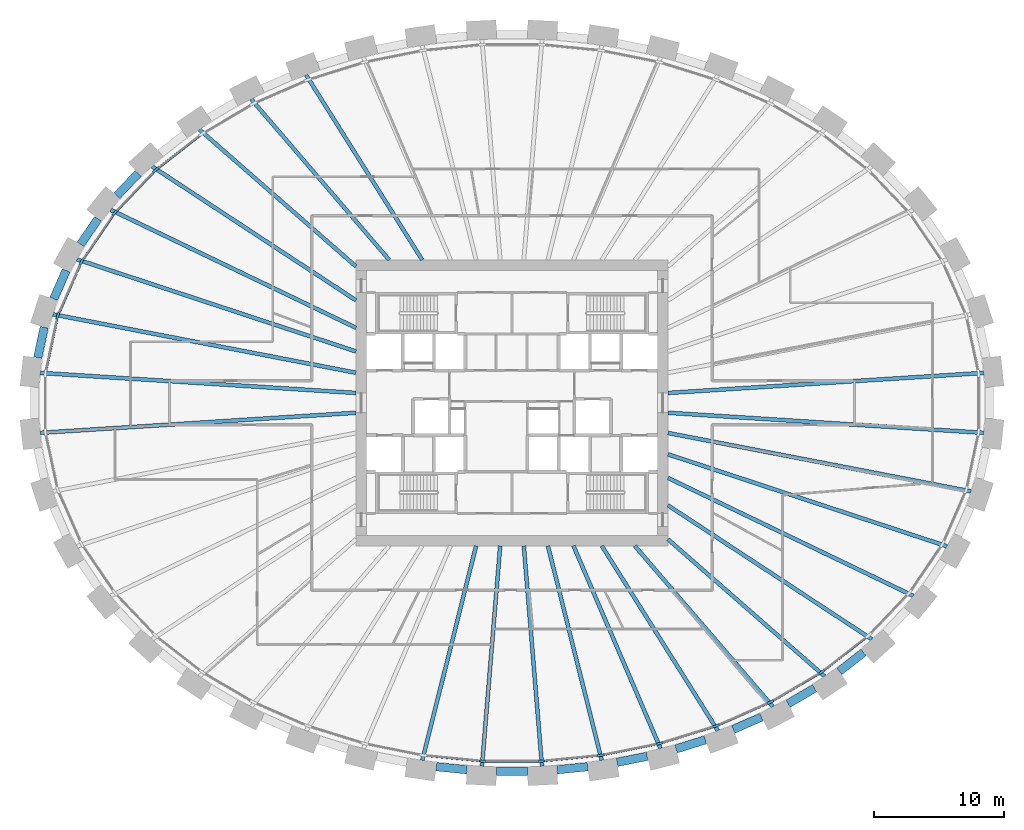
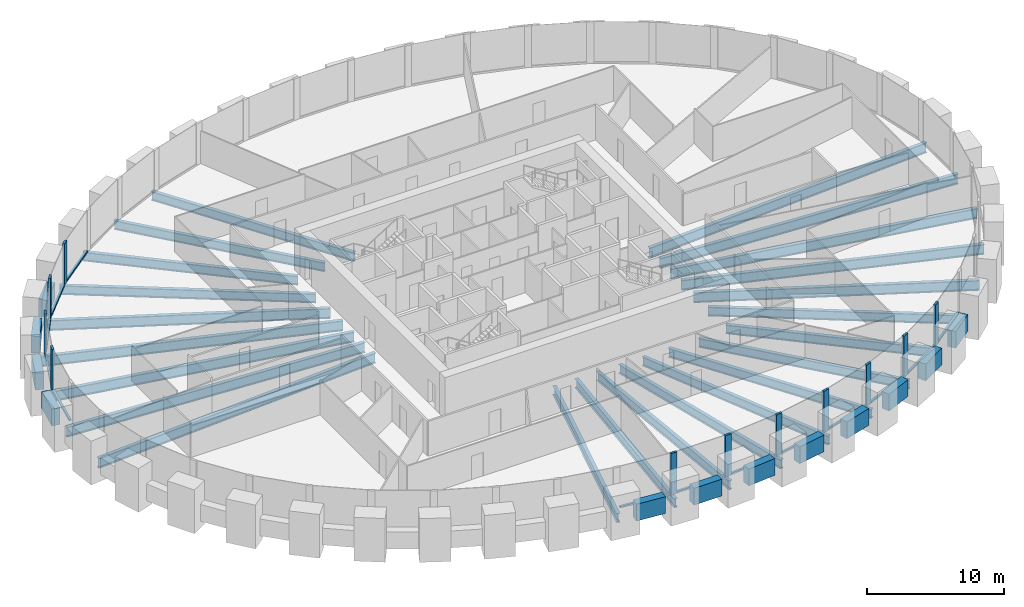
# One storey, part 2 of 10: 35 beams, 24 members, 1 element without a shape of its own.
"""IFC4 building model written with IfcOpenShell, lengths in metres."""

from ifc_helpers import new_model, si_unit, direction, frame, origin, origin_2d, place, context, subcontext, project, spatial, rectangle, i_section, extrude, source, transform, mapped, material, material_profile, profile_set, type_object, element, aggregate, save


model = new_model("IFC4")

# Units and contexts
model_context = context("Model", 3, precision=1e-05, world=origin(), true_north=direction((0.0, 1.0)))
body_context = subcontext(model_context, "Body", "Model", "MODEL_VIEW")
ifc_project = project(units=[si_unit("LENGTHUNIT", "METRE"), si_unit("AREAUNIT", "SQUARE_METRE"), si_unit("VOLUMEUNIT", "CUBIC_METRE"), si_unit("PLANEANGLEUNIT", "RADIAN"), si_unit("MASSUNIT", "GRAM", prefix="KILO")], contexts=[model_context])

# Site, building, storey
site_placement = place(None, origin())
site = spatial("IfcSite", under=ifc_project, at=site_placement, CompositionType="ELEMENT")
building_placement = place(site_placement, origin())
building = spatial("IfcBuilding", under=site, at=building_placement, Name="Embergate Tower", CompositionType="ELEMENT")
storey_placement = place(building_placement, frame((0.0, 0.0, 175.5)))
storey = spatial("IfcBuildingStorey", under=building, at=storey_placement, Name="L39", CompositionType="ELEMENT", Elevation=175.5)

# Beams
ifc_material_1 = material(Name="Concrete C70", Category="concrete")
ifc_material_profile_1 = material_profile(ifc_material_1, rectangle(XDim=0.64990234375, YDim=1.5, at=origin_2d()), Name="RC 650x1500")
ifc_profile_set_1 = profile_set([ifc_material_profile_1], Name="Concrete C70")
beam_type_1 = type_object("IfcBeamType", Name="Spandrel beam RC 650x1500 C70", PredefinedType="BEAM", material=ifc_profile_set_1)
shared_shape_1 = source(origin(), body_context, "Body", "SweptSolid", [
    extrude(rectangle(XDim=0.64990234375, YDim=1.5, at=origin_2d()), origin(), (0.0, 0.0, 1.0), 2.390625),
])
beam_1_placement = place(storey_placement, frame((-35.986083984375, 5.821044921875, 0.0), z_axis=(-0.210372893439, -0.977621217909, 0.0), x_axis=(0.977621217909, -0.210372893439, 0.0)))
element("IfcBeam", 1, at=beam_1_placement, inside=storey, type_object=beam_type_1, Name="SPN-L39-20", PredefinedType="BEAM", context=body_context, shape_type="MappedRepresentation", body=[
    mapped(shared_shape_1, transform((0.0, 0.0, 0.0))),
])
shared_shape_2 = source(origin(), body_context, "Body", "SweptSolid", [
    extrude(rectangle(XDim=0.64990234375, YDim=1.5, at=origin_2d()), origin(), (0.0, 0.0, 1.0), 2.383544921875),
])
beam_2_placement = place(storey_placement, frame((-34.302001953125, 10.18603515625, 0.0), z_axis=(-0.401495719711, -0.915860899402, 0.0), x_axis=(0.915860899402, -0.401495719711, 0.0)))
element("IfcBeam", 2, at=beam_2_placement, inside=storey, type_object=beam_type_1, Name="SPN-L39-19", PredefinedType="BEAM", context=body_context, shape_type="MappedRepresentation", body=[
    mapped(shared_shape_2, transform((0.0, 0.0, 0.0))),
])
shared_shape_3 = source(origin(), body_context, "Body", "SweptSolid", [
    extrude(rectangle(XDim=0.64990234375, YDim=1.5, at=origin_2d()), origin(), (0.0, 0.0, 1.0), 2.37744140625),
])
beam_3_placement = place(storey_placement, frame((-31.85107421875, 14.1650390625, 0.0), z_axis=(-0.562307212713, -0.826928411975, 0.0), x_axis=(0.826928411975, -0.562307212713, 0.0)))
element("IfcBeam", 3, at=beam_3_placement, inside=storey, type_object=beam_type_1, Name="SPN-L39-18", PredefinedType="BEAM", context=body_context, shape_type="MappedRepresentation", body=[
    mapped(shared_shape_3, transform((0.0, 0.0, 0.0))),
])
shared_shape_4 = source(origin(), body_context, "Body", "SweptSolid", [
    extrude(rectangle(XDim=0.64990234375, YDim=1.5, at=origin_2d()), origin(), (0.0, 0.0, 1.0), 2.370361328125),
])
beam_4_placement = place(storey_placement, frame((-28.7548828125, 17.656982421875, 0.0), z_axis=(-0.690277300847, -0.723544917704, 0.0), x_axis=(0.723544917704, -0.690277300847, 0.0)))
element("IfcBeam", 4, at=beam_4_placement, inside=storey, type_object=beam_type_1, Name="SPN-L39-17", PredefinedType="BEAM", context=body_context, shape_type="MappedRepresentation", body=[
    mapped(shared_shape_4, transform((0.0, 0.0, 0.0))),
])
shared_shape_5 = source(origin(), body_context, "Body", "SweptSolid", [
    extrude(rectangle(XDim=0.64990234375, YDim=1.5, at=origin_2d()), origin(), (0.0, 0.0, 1.0), 2.367431640625),
])
beam_5_placement = place(storey_placement, frame((25.18408203125, -20.657958984375, 0.0), z_axis=(0.788179129097, 0.615445903761, 0.0), x_axis=(-0.615445903761, 0.788179129097, 0.0)))
element("IfcBeam", 5, at=beam_5_placement, inside=storey, type_object=beam_type_1, Name="SPN-L39-38", PredefinedType="BEAM", context=body_context, shape_type="MappedRepresentation", body=[
    mapped(shared_shape_5, transform((0.0, 0.0, 0.0))),
])
shared_shape_6 = source(origin(), body_context, "Body", "SweptSolid", [
    extrude(rectangle(XDim=0.64990234375, YDim=1.5, at=origin_2d()), origin(), (0.0, 0.0, 1.0), 2.36181640625),
])
beam_6_placement = place(storey_placement, frame((21.24609375, -23.14794921875, 0.0), z_axis=(0.86203783714, 0.506843927989, 0.0), x_axis=(-0.506843927989, 0.86203783714, 0.0)))
element("IfcBeam", 6, at=beam_6_placement, inside=storey, type_object=beam_type_1, Name="SPN-L39-37", PredefinedType="BEAM", context=body_context, shape_type="MappedRepresentation", body=[
    mapped(shared_shape_6, transform((0.0, 0.0, 0.0))),
])
shared_shape_7 = source(origin(), body_context, "Body", "SweptSolid", [
    extrude(rectangle(XDim=0.64990234375, YDim=1.5, at=origin_2d()), origin(), (0.0, 0.0, 1.0), 2.357177734375),
])
beam_7_placement = place(storey_placement, frame((17.028076171875, -25.118896484375, 0.0), z_axis=(0.916330780136, 0.400422153951, 0.0), x_axis=(-0.400422153951, 0.916330780136, 0.0)))
element("IfcBeam", 7, at=beam_7_placement, inside=storey, type_object=beam_type_1, Name="SPN-L39-36", PredefinedType="BEAM", context=body_context, shape_type="MappedRepresentation", body=[
    mapped(shared_shape_7, transform((0.0, 0.0, 0.0))),
])
shared_shape_8 = source(origin(), body_context, "Body", "SweptSolid", [
    extrude(rectangle(XDim=0.64990234375, YDim=1.5, at=origin_2d()), origin(), (0.0, 0.0, 1.0), 2.354736328125),
])
beam_8_placement = place(storey_placement, frame((12.625, -26.6240234375, 0.0), z_axis=(0.954671641149, 0.2976609776, 0.0), x_axis=(-0.2976609776, 0.954671641149, 0.0)))
element("IfcBeam", 8, at=beam_8_placement, inside=storey, type_object=beam_type_1, Name="SPN-L39-35", PredefinedType="BEAM", context=body_context, shape_type="MappedRepresentation", body=[
    mapped(shared_shape_8, transform((0.0, 0.0, 0.0))),
])
shared_shape_9 = source(origin(), body_context, "Body", "SweptSolid", [
    extrude(rectangle(XDim=0.64990234375, YDim=1.5, at=origin_2d()), origin(), (0.0, 0.0, 1.0), 2.35302734375),
])
beam_9_placement = place(storey_placement, frame((8.089111328125, -27.655029296875, 0.0), z_axis=(0.980436743633, 0.196834427206, 0.0), x_axis=(-0.196834427206, 0.980436743633, 0.0)))
element("IfcBeam", 9, at=beam_9_placement, inside=storey, type_object=beam_type_1, Name="SPN-L39-34", PredefinedType="BEAM", context=body_context, shape_type="MappedRepresentation", body=[
    mapped(shared_shape_9, transform((0.0, 0.0, 0.0))),
])
shared_shape_10 = source(origin(), body_context, "Body", "SweptSolid", [
    extrude(rectangle(XDim=0.64990234375, YDim=1.5, at=origin_2d()), origin(), (0.0, 0.0, 1.0), 2.352294921875),
])
for number, where, z_axis, x_axis, name in (
    (10, (-5.81396484375, -27.993896484375, 0.0), (0.995199233924, -0.097869733819, 0.0), (0.097869733819, 0.995199233924, 0.0), "SPN-L39-31"),
    (11, (3.472900390625, -28.22412109375, 0.0), (0.995199233924, 0.097869733819, 0.0), (-0.097869733819, 0.995199233924, 0.0), "SPN-L39-33"),
):
    element("IfcBeam", number, at=place(storey_placement, frame(where, z_axis=z_axis, x_axis=x_axis)), inside=storey, type_object=beam_type_1, Name=name, PredefinedType="BEAM", context=body_context, shape_type="MappedRepresentation", body=[
        mapped(shared_shape_10, transform((0.0, 0.0, 0.0))),
    ])
shared_shape_11 = source(origin(), body_context, "Body", "SweptSolid", [
    extrude(rectangle(XDim=0.64990234375, YDim=1.5, at=origin_2d()), origin(), (0.0, 0.0, 1.0), 2.35205078125),
])
beam_10_placement = place(storey_placement, frame((-1.176025390625, -28.3369140625, 0.0), z_axis=(1.0, 0.0, 0.0), x_axis=(0.0, 1.0, 0.0)))
element("IfcBeam", 12, at=beam_10_placement, inside=storey, type_object=beam_type_1, Name="SPN-L39-32", PredefinedType="BEAM", context=body_context, shape_type="MappedRepresentation", body=[
    mapped(shared_shape_11, transform((0.0, 0.0, 0.0))),
])
ifc_material_2 = material(Name="Steel Q355B", Category="steel")
ifc_material_profile_2 = material_profile(ifc_material_2, i_section(OverallWidth=0.300048828125, OverallDepth=0.89990234375, WebThickness=0.01611328125, FlangeThickness=0.028076171875, FilletRadius=0.028076171875, at=origin_2d()), Name="HN 900x300x16x28")
ifc_profile_set_2 = profile_set([ifc_material_profile_2], Name="Steel Q355 grade B")
beam_type_2 = type_object("IfcBeamType", Name="Radial girder HN 900x300x16x28", PredefinedType="BEAM", material=ifc_profile_set_2)
shared_shape_12 = source(origin(), body_context, "Body", "SweptSolid", [
    extrude(i_section(OverallWidth=0.300048828125, OverallDepth=0.89990234375, WebThickness=0.01611328125, FlangeThickness=0.028076171875, FilletRadius=0.028076171875, at=origin_2d()), origin(), (0.0, 0.0, 1.0), 24.336181640625),
])
for number, where, z_axis, x_axis, name in (
    (13, (36.287109375, 2.305908203125, -0.64990234375), (-0.997985495245, -0.063442503739, 0.0), (0.063442503739, -0.997985495245, 0.0), "GIR-L39-00"),
    (14, (-36.287109375, 2.305908203125, -0.64990234375), (0.997985495245, -0.063442503739, 0.0), (0.063442503739, 0.997985495245, 0.0), "GIR-L39-21"),
    (15, (-36.287109375, -2.305908203125, -0.64990234375), (0.997985495245, 0.063442503739, 0.0), (-0.063442503739, 0.997985495245, 0.0), "GIR-L39-22"),
    (16, (36.287109375, -2.305908203125, -0.64990234375), (-0.997985495245, 0.063442503739, 0.0), (-0.063442503739, -0.997985495245, 0.0), "GIR-L39-43"),
):
    element("IfcBeam", number, at=place(storey_placement, frame(where, z_axis=z_axis, x_axis=x_axis)), inside=storey, type_object=beam_type_2, Name=name, PredefinedType="BEAM", context=body_context, shape_type="MappedRepresentation", body=[
        mapped(shared_shape_12, transform((0.0, 0.0, 0.0))),
    ])
shared_shape_13 = source(origin(), body_context, "Body", "SweptSolid", [
    extrude(i_section(OverallWidth=0.300048828125, OverallDepth=0.89990234375, WebThickness=0.01611328125, FlangeThickness=0.028076171875, FilletRadius=0.028076171875, at=origin_2d()), origin(), (0.0, 0.0, 1.0), 23.747802734375),
])
for number, where, z_axis, x_axis, name in (
    (17, (-35.318115234375, 6.81201171875, -0.64990234375), (0.981906216614, -0.189367847787, 0.0), (0.189367847787, 0.981906216614, 0.0), "GIR-L39-20"),
    (18, (35.318115234375, -6.81201171875, -0.64990234375), (-0.981906216614, 0.189367847787, 0.0), (-0.189367847787, -0.981906216614, 0.0), "GIR-L39-42"),
):
    element("IfcBeam", number, at=place(storey_placement, frame(where, z_axis=z_axis, x_axis=x_axis)), inside=storey, type_object=beam_type_2, Name=name, PredefinedType="BEAM", context=body_context, shape_type="MappedRepresentation", body=[
        mapped(shared_shape_13, transform((0.0, 0.0, 0.0))),
    ])
shared_shape_14 = source(origin(), body_context, "Body", "SweptSolid", [
    extrude(i_section(OverallWidth=0.300048828125, OverallDepth=0.89990234375, WebThickness=0.01611328125, FlangeThickness=0.028076171875, FilletRadius=0.028076171875, at=origin_2d()), origin(), (0.0, 0.0, 1.0), 22.602294921875),
])
for number, where, z_axis, x_axis, name in (
    (19, (-33.465087890625, 11.035888671875, -0.64990234375), (0.949689481284, -0.313193054103, 0.0), (0.313193054103, 0.949689481284, 0.0), "GIR-L39-19"),
    (20, (33.465087890625, -11.035888671875, -0.64990234375), (-0.949689481284, 0.313193054103, 0.0), (-0.313193054103, -0.949689481284, 0.0), "GIR-L39-41"),
):
    element("IfcBeam", number, at=place(storey_placement, frame(where, z_axis=z_axis, x_axis=x_axis)), inside=storey, type_object=beam_type_2, Name=name, PredefinedType="BEAM", context=body_context, shape_type="MappedRepresentation", body=[
        mapped(shared_shape_14, transform((0.0, 0.0, 0.0))),
    ])
shared_shape_15 = source(origin(), body_context, "Body", "SweptSolid", [
    extrude(i_section(OverallWidth=0.300048828125, OverallDepth=0.89990234375, WebThickness=0.01611328125, FlangeThickness=0.028076171875, FilletRadius=0.028076171875, at=origin_2d()), origin(), (0.0, 0.0, 1.0), 20.941162109375),
])
for number, where, z_axis, x_axis, name in (
    (21, (-30.87109375, 14.85107421875, -0.64990234375), (0.901150138625, -0.433507125267, 0.0), (0.433507125267, 0.901150138625, 0.0), "GIR-L39-18"),
    (22, (30.87109375, -14.85107421875, -0.64990234375), (-0.901150138625, 0.433507125267, 0.0), (-0.433507125267, -0.901150138625, 0.0), "GIR-L39-40"),
):
    element("IfcBeam", number, at=place(storey_placement, frame(where, z_axis=z_axis, x_axis=x_axis)), inside=storey, type_object=beam_type_2, Name=name, PredefinedType="BEAM", context=body_context, shape_type="MappedRepresentation", body=[
        mapped(shared_shape_15, transform((0.0, 0.0, 0.0))),
    ])
ifc_material_profile_3 = material_profile(ifc_material_2, i_section(OverallWidth=0.300048828125, OverallDepth=0.800048828125, WebThickness=0.013916015625, FlangeThickness=0.02587890625, FilletRadius=0.028076171875, at=origin_2d()), Name="HN 800x300x14x26")
ifc_profile_set_3 = profile_set([ifc_material_profile_3], Name="Steel Q355 grade B")
beam_type_3 = type_object("IfcBeamType", Name="Radial girder HN 800x300x14x26", PredefinedType="BEAM", material=ifc_profile_set_3)
shared_shape_16 = source(origin(), body_context, "Body", "SweptSolid", [
    extrude(i_section(OverallWidth=0.300048828125, OverallDepth=0.800048828125, WebThickness=0.013916015625, FlangeThickness=0.02587890625, FilletRadius=0.028076171875, at=origin_2d()), origin(), (0.0, 0.0, 1.0), 18.76953125),
])
for number, where, z_axis, x_axis, name in (
    (23, (-27.68701171875, 18.18994140625, -0.60009765625), (0.835771481667, -0.549077435734, 0.0), (0.549077435734, 0.835771481667, 0.0), "GIR-L39-17"),
    (24, (27.68701171875, -18.18994140625, -0.60009765625), (-0.835771481667, 0.549077435734, 0.0), (-0.549077435734, -0.835771481667, 0.0), "GIR-L39-39"),
):
    element("IfcBeam", number, at=place(storey_placement, frame(where, z_axis=z_axis, x_axis=x_axis)), inside=storey, type_object=beam_type_3, Name=name, PredefinedType="BEAM", context=body_context, shape_type="MappedRepresentation", body=[
        mapped(shared_shape_16, transform((0.0, 0.0, 0.0))),
    ])
shared_shape_17 = source(origin(), body_context, "Body", "SweptSolid", [
    extrude(i_section(OverallWidth=0.300048828125, OverallDepth=0.800048828125, WebThickness=0.013916015625, FlangeThickness=0.02587890625, FilletRadius=0.028076171875, at=origin_2d()), origin(), (0.0, 0.0, 1.0), 16.005859375),
])
for number, where, z_axis, x_axis, name in (
    (25, (-24.048095703125, 21.031005859375, -0.60009765625), (0.752730691054, -0.658328570506, 0.0), (0.658328570506, 0.752730691054, 0.0), "GIR-L39-16"),
    (26, (24.048095703125, -21.031005859375, -0.60009765625), (-0.752730691054, 0.658328570506, 0.0), (-0.658328570506, -0.752730691054, 0.0), "GIR-L39-38"),
):
    element("IfcBeam", number, at=place(storey_placement, frame(where, z_axis=z_axis, x_axis=x_axis)), inside=storey, type_object=beam_type_3, Name=name, PredefinedType="BEAM", context=body_context, shape_type="MappedRepresentation", body=[
        mapped(shared_shape_17, transform((0.0, 0.0, 0.0))),
    ])
shared_shape_18 = source(origin(), body_context, "Body", "SweptSolid", [
    extrude(i_section(OverallWidth=0.300048828125, OverallDepth=0.800048828125, WebThickness=0.013916015625, FlangeThickness=0.02587890625, FilletRadius=0.028076171875, at=origin_2d()), origin(), (0.0, 0.0, 1.0), 16.305419921875),
])
for number, where, z_axis, x_axis, name in (
    (27, (-20.069091796875, 23.3701171875, -0.60009765625), (0.651501333184, -0.758647489193, 0.0), (0.758647489193, 0.651501333184, 0.0), "GIR-L39-15"),
    (28, (20.069091796875, -23.3701171875, -0.60009765625), (-0.651501333184, 0.758647489193, 0.0), (-0.758647489193, -0.651501333184, 0.0), "GIR-L39-37"),
):
    element("IfcBeam", number, at=place(storey_placement, frame(where, z_axis=z_axis, x_axis=x_axis)), inside=storey, type_object=beam_type_3, Name=name, PredefinedType="BEAM", context=body_context, shape_type="MappedRepresentation", body=[
        mapped(shared_shape_18, transform((0.0, 0.0, 0.0))),
    ])
shared_shape_19 = source(origin(), body_context, "Body", "SweptSolid", [
    extrude(i_section(OverallWidth=0.300048828125, OverallDepth=0.800048828125, WebThickness=0.013916015625, FlangeThickness=0.02587890625, FilletRadius=0.028076171875, at=origin_2d()), origin(), (0.0, 0.0, 1.0), 16.79052734375),
])
for number, where, z_axis, x_axis, name in (
    (29, (-15.837890625, 25.218994140625, -0.60009765625), (0.531841858708, -0.8468436912, 0.0), (0.8468436912, 0.531841858708, 0.0), "GIR-L39-14"),
    (30, (15.837890625, -25.218994140625, -0.60009765625), (-0.531841858708, 0.8468436912, 0.0), (-0.8468436912, -0.531841858708, 0.0), "GIR-L39-36"),
):
    element("IfcBeam", number, at=place(storey_placement, frame(where, z_axis=z_axis, x_axis=x_axis)), inside=storey, type_object=beam_type_3, Name=name, PredefinedType="BEAM", context=body_context, shape_type="MappedRepresentation", body=[
        mapped(shared_shape_19, transform((0.0, 0.0, 0.0))),
    ])
shared_shape_20 = source(origin(), body_context, "Body", "SweptSolid", [
    extrude(i_section(OverallWidth=0.300048828125, OverallDepth=0.800048828125, WebThickness=0.013916015625, FlangeThickness=0.02587890625, FilletRadius=0.028076171875, at=origin_2d()), origin(), (0.0, 0.0, 1.0), 16.971435546875),
])
beam_11_placement = place(storey_placement, frame((11.429931640625, -26.592041015625, -0.60009765625), z_axis=(-0.394894806524, 0.918726342161, 0.0), x_axis=(-0.918726342161, -0.394894806524, 0.0)))
element("IfcBeam", 31, at=beam_11_placement, inside=storey, type_object=beam_type_3, Name="GIR-L39-35", PredefinedType="BEAM", context=body_context, shape_type="MappedRepresentation", body=[
    mapped(shared_shape_20, transform((0.0, 0.0, 0.0))),
])
shared_shape_21 = source(origin(), body_context, "Body", "SweptSolid", [
    extrude(i_section(OverallWidth=0.300048828125, OverallDepth=0.800048828125, WebThickness=0.013916015625, FlangeThickness=0.02587890625, FilletRadius=0.028076171875, at=origin_2d()), origin(), (0.0, 0.0, 1.0), 17.011962890625),
])
for number, where, z_axis, x_axis, name in (
    (32, (-6.903076171875, -27.5, -0.60009765625), (0.243480994992, 0.969905668134, 0.0), (-0.969905668134, 0.243480994992, 0.0), "GIR-L39-31"),
    (33, (6.903076171875, -27.5, -0.60009765625), (-0.243480994992, 0.969905668134, 0.0), (-0.969905668134, -0.243480994992, 0.0), "GIR-L39-34"),
):
    element("IfcBeam", number, at=place(storey_placement, frame(where, z_axis=z_axis, x_axis=x_axis)), inside=storey, type_object=beam_type_3, Name=name, PredefinedType="BEAM", context=body_context, shape_type="MappedRepresentation", body=[
        mapped(shared_shape_21, transform((0.0, 0.0, 0.0))),
    ])
shared_shape_22 = source(origin(), body_context, "Body", "SweptSolid", [
    extrude(i_section(OverallWidth=0.300048828125, OverallDepth=0.800048828125, WebThickness=0.013916015625, FlangeThickness=0.02587890625, FilletRadius=0.028076171875, at=origin_2d()), origin(), (0.0, 0.0, 1.0), 17.009521484375),
])
for number, where, z_axis, x_axis, name in (
    (34, (-2.30908203125, -27.951904296875, -0.60009765625), (0.082314935073, 0.996606367361, 0.0), (-0.996606367361, 0.082314935073, 0.0), "GIR-L39-32"),
    (35, (2.30908203125, -27.951904296875, -0.60009765625), (-0.082314935073, 0.996606367361, 0.0), (-0.996606367361, -0.082314935073, 0.0), "GIR-L39-33"),
):
    element("IfcBeam", number, at=place(storey_placement, frame(where, z_axis=z_axis, x_axis=x_axis)), inside=storey, type_object=beam_type_3, Name=name, PredefinedType="BEAM", context=body_context, shape_type="MappedRepresentation", body=[
        mapped(shared_shape_22, transform((0.0, 0.0, 0.0))),
    ])

# Curtain wall, members
ifc_material_3 = material(Name="Aluminium and glass", Category="aluminium")
curtain_wall_type = type_object("IfcCurtainWallType", Name="Recessed office glazing", PredefinedType="NOTDEFINED", material=ifc_material_3)
curtain_wall_placement = place(storey_placement, origin())
curtain_wall = element("IfcCurtainWall", 36, at=curtain_wall_placement, inside=storey, type_object=curtain_wall_type, Name="Recessed office glazing ring", ObjectType="RECESSED OFFICE GLAZING", PredefinedType="USERDEFINED")
ifc_material_4 = material(Name="Aluminium, thermally broken", Category="aluminium")
ifc_material_profile_4 = material_profile(ifc_material_4, rectangle(XDim=0.179931640625, YDim=0.52001953125, at=origin_2d()), Name="AL 520x180")
ifc_profile_set_4 = profile_set([ifc_material_profile_4], Name="Aluminium, thermally broken")
member_type_1 = type_object("IfcMemberType", Name="Office mullion", PredefinedType="MULLION", material=ifc_profile_set_4)
shared_shape_23 = source(origin(), body_context, "Body", "SweptSolid", [
    extrude(rectangle(XDim=0.179931640625, YDim=0.52001953125, at=origin_2d()), origin(), (0.0, 0.0, 1.0), 3.699951171875),
])
member_1_placement = place(storey_placement, frame((-27.425537109375, 17.900634765625, 0.0), z_axis=(0.0, 0.0, 1.0), x_axis=(0.671221359023, -0.741256964346, 0.0)))
member_1 = element("IfcMember", 37, at=member_1_placement, type_object=member_type_1, Name="CW mullion 18", PredefinedType="MULLION", context=body_context, shape_type="MappedRepresentation", body=[
    mapped(shared_shape_23, transform((0.0, 0.0, 0.0))),
])
member_2_placement = place(storey_placement, frame((-30.568359375, 14.60498046875, 0.0), z_axis=(0.0, 0.0, 1.0), x_axis=(0.777867080309, -0.62842883875, 0.0)))
member_2 = element("IfcMember", 38, at=member_2_placement, type_object=member_type_1, Name="CW mullion 19", PredefinedType="MULLION", context=body_context, shape_type="MappedRepresentation", body=[
    mapped(shared_shape_23, transform((0.0, 0.0, 0.0))),
])
member_3_placement = place(storey_placement, frame((-33.12451171875, 10.84619140625, 0.0), z_axis=(0.0, 0.0, 1.0), x_axis=(0.874998516019, -0.484125600402, 0.0)))
member_3 = element("IfcMember", 39, at=member_3_placement, type_object=member_type_1, Name="CW mullion 20", PredefinedType="MULLION", context=body_context, shape_type="MappedRepresentation", body=[
    mapped(shared_shape_23, transform((0.0, 0.0, 0.0))),
])
member_4_placement = place(storey_placement, frame((-34.94677734375, 6.691650390625, 0.0), z_axis=(0.0, 0.0, 1.0), x_axis=(0.951496187099, -0.307660536853, 0.0)))
member_4 = element("IfcMember", 40, at=member_4_placement, type_object=member_type_1, Name="CW mullion 21", PredefinedType="MULLION", context=body_context, shape_type="MappedRepresentation", body=[
    mapped(shared_shape_23, transform((0.0, 0.0, 0.0))),
])
member_5_placement = place(storey_placement, frame((-2.28955078125, -27.56201171875, 0.0), z_axis=(0.0, 0.0, 1.0), x_axis=(0.048970053385, 0.998800247232, 0.0)))
member_5 = element("IfcMember", 41, at=member_5_placement, type_object=member_type_1, Name="CW mullion 33", PredefinedType="MULLION", context=body_context, shape_type="MappedRepresentation", body=[
    mapped(shared_shape_23, transform((0.0, 0.0, 0.0))),
])
member_6_placement = place(storey_placement, frame((2.28955078125, -27.56201171875, 0.0), z_axis=(0.0, 0.0, 1.0), x_axis=(-0.048970053385, 0.998800247232, 0.0)))
member_6 = element("IfcMember", 42, at=member_6_placement, type_object=member_type_1, Name="CW mullion 34", PredefinedType="MULLION", context=body_context, shape_type="MappedRepresentation", body=[
    mapped(shared_shape_23, transform((0.0, 0.0, 0.0))),
])
member_7_placement = place(storey_placement, frame((6.846435546875, -27.1142578125, 0.0), z_axis=(0.0, 0.0, 1.0), x_axis=(-0.147408930294, 0.989075632735, 0.0)))
member_7 = element("IfcMember", 43, at=member_7_placement, type_object=member_type_1, Name="CW mullion 35", PredefinedType="MULLION", context=body_context, shape_type="MappedRepresentation", body=[
    mapped(shared_shape_23, transform((0.0, 0.0, 0.0))),
])
member_8_placement = place(storey_placement, frame((11.334716796875, -26.214111328125, 0.0), z_axis=(0.0, 0.0, 1.0), x_axis=(-0.247308499144, 0.96893679167, 0.0)))
member_8 = element("IfcMember", 44, at=member_8_placement, type_object=member_type_1, Name="CW mullion 36", PredefinedType="MULLION", context=body_context, shape_type="MappedRepresentation", body=[
    mapped(shared_shape_23, transform((0.0, 0.0, 0.0))),
])
member_9_placement = place(storey_placement, frame((15.702880859375, -24.853759765625, 0.0), z_axis=(0.0, 0.0, 1.0), x_axis=(-0.349497777064, 0.936937193107, 0.0)))
member_9 = element("IfcMember", 45, at=member_9_placement, type_object=member_type_1, Name="CW mullion 37", PredefinedType="MULLION", context=body_context, shape_type="MappedRepresentation", body=[
    mapped(shared_shape_23, transform((0.0, 0.0, 0.0))),
])
member_10_placement = place(storey_placement, frame((19.89208984375, -23.02197265625, 0.0), z_axis=(0.0, 0.0, 1.0), x_axis=(-0.45450516197, 0.8907441034, 0.0)))
member_10 = element("IfcMember", 46, at=member_10_placement, type_object=member_type_1, Name="CW mullion 38", PredefinedType="MULLION", context=body_context, shape_type="MappedRepresentation", body=[
    mapped(shared_shape_23, transform((0.0, 0.0, 0.0))),
])
member_11_placement = place(storey_placement, frame((23.82958984375, -20.70703125, 0.0), z_axis=(0.0, 0.0, 1.0), x_axis=(-0.562210401679, 0.82699423471, 0.0)))
member_11 = element("IfcMember", 47, at=member_11_placement, type_object=member_type_1, Name="CW mullion 39", PredefinedType="MULLION", context=body_context, shape_type="MappedRepresentation", body=[
    mapped(shared_shape_23, transform((0.0, 0.0, 0.0))),
])
ifc_material_profile_5 = material_profile(ifc_material_4, rectangle(XDim=0.179931640625, YDim=0.14990234375, at=origin_2d()), Name="AL 150x180")
ifc_profile_set_5 = profile_set([ifc_material_profile_5], Name="Aluminium, thermally broken")
member_type_2 = type_object("IfcMemberType", Name="Office sill transom", PredefinedType="USERDEFINED", material=ifc_profile_set_5)
shared_shape_24 = source(origin(), body_context, "Body", "SweptSolid", [
    extrude(rectangle(XDim=0.179931640625, YDim=0.14990234375, at=origin_2d()), origin(), (0.0, 0.0, 1.0), 4.009765625),
])
member_12_placement = place(storey_placement, frame((-35.00146484375, 6.4375, 0.074951171875), z_axis=(-0.210368972531, -0.977622061635, 0.0), x_axis=(0.977622061635, -0.210368972531, 0.0)))
member_12 = element("IfcMember", 48, at=member_12_placement, type_object=member_type_2, Name="CW transom 21.1", ObjectType="TRANSOM", PredefinedType="USERDEFINED", context=body_context, shape_type="MappedRepresentation", body=[
    mapped(shared_shape_24, transform((0.0, 0.0, 0.0))),
])
shared_shape_25 = source(origin(), body_context, "Body", "SweptSolid", [
    extrude(rectangle(XDim=0.179931640625, YDim=0.14990234375, at=origin_2d()), origin(), (0.0, 0.0, 1.0), 4.0166015625),
])
member_13_placement = place(storey_placement, frame((-33.22900390625, 10.608154296875, 0.074951171875), z_axis=(-0.401644503167, -0.915795661202, 0.0), x_axis=(0.915795661202, -0.401644503167, 0.0)))
member_13 = element("IfcMember", 49, at=member_13_placement, type_object=member_type_2, Name="CW transom 20.1", ObjectType="TRANSOM", PredefinedType="USERDEFINED", context=body_context, shape_type="MappedRepresentation", body=[
    mapped(shared_shape_25, transform((0.0, 0.0, 0.0))),
])
shared_shape_26 = source(origin(), body_context, "Body", "SweptSolid", [
    extrude(rectangle(XDim=0.179931640625, YDim=0.14990234375, at=origin_2d()), origin(), (0.0, 0.0, 1.0), 4.025390625),
])
member_14_placement = place(storey_placement, frame((-30.714599609375, 14.389892578125, 0.074951171875), z_axis=(-0.562346517012, -0.826901683881, 0.0), x_axis=(0.826901683881, -0.562346517012, 0.0)))
member_14 = element("IfcMember", 50, at=member_14_placement, type_object=member_type_2, Name="CW transom 19.1", ObjectType="TRANSOM", PredefinedType="USERDEFINED", context=body_context, shape_type="MappedRepresentation", body=[
    mapped(shared_shape_26, transform((0.0, 0.0, 0.0))),
])
shared_shape_27 = source(origin(), body_context, "Body", "SweptSolid", [
    extrude(rectangle(XDim=0.179931640625, YDim=0.14990234375, at=origin_2d()), origin(), (0.0, 0.0, 1.0), 4.033935546875),
])
member_15_placement = place(storey_placement, frame((-27.60498046875, 17.71240234375, 0.074951171875), z_axis=(-0.690112930661, -0.723701694716, 0.0), x_axis=(0.723701694716, -0.690112930661, 0.0)))
member_15 = element("IfcMember", 51, at=member_15_placement, type_object=member_type_2, Name="CW transom 18.1", ObjectType="TRANSOM", PredefinedType="USERDEFINED", context=body_context, shape_type="MappedRepresentation", body=[
    mapped(shared_shape_27, transform((0.0, 0.0, 0.0))),
])
shared_shape_28 = source(origin(), body_context, "Body", "SweptSolid", [
    extrude(rectangle(XDim=0.179931640625, YDim=0.14990234375, at=origin_2d()), origin(), (0.0, 0.0, 1.0), 4.04150390625),
])
member_16_placement = place(storey_placement, frame((-24.034423828125, 20.547119140625, 0.074951171875), z_axis=(-0.788326502743, -0.615257121107, 0.0), x_axis=(0.615257121107, -0.788326502743, 0.0)))
member_16 = element("IfcMember", 52, at=member_16_placement, type_object=member_type_2, Name="CW transom 17.1", ObjectType="TRANSOM", PredefinedType="USERDEFINED", context=body_context, shape_type="MappedRepresentation", body=[
    mapped(shared_shape_28, transform((0.0, 0.0, 0.0))),
])
member_17_placement = place(storey_placement, frame((24.034423828125, -20.547119140625, 0.074951171875), z_axis=(0.788326502743, 0.615257121107, 0.0), x_axis=(-0.615257121107, 0.788326502743, 0.0)))
member_17 = element("IfcMember", 53, at=member_17_placement, type_object=member_type_2, Name="CW transom 39.1", ObjectType="TRANSOM", PredefinedType="USERDEFINED", context=body_context, shape_type="MappedRepresentation", body=[
    mapped(shared_shape_28, transform((0.0, 0.0, 0.0))),
])
shared_shape_29 = source(origin(), body_context, "Body", "SweptSolid", [
    extrude(rectangle(XDim=0.179931640625, YDim=0.14990234375, at=origin_2d()), origin(), (0.0, 0.0, 1.0), 4.047607421875),
])
member_18_placement = place(storey_placement, frame((20.1162109375, -22.89013671875, 0.074951171875), z_axis=(0.862067536609, 0.50679341188, 0.0), x_axis=(-0.50679341188, 0.862067536609, 0.0)))
member_18 = element("IfcMember", 54, at=member_18_placement, type_object=member_type_2, Name="CW transom 38.1", ObjectType="TRANSOM", PredefinedType="USERDEFINED", context=body_context, shape_type="MappedRepresentation", body=[
    mapped(shared_shape_29, transform((0.0, 0.0, 0.0))),
])
shared_shape_30 = source(origin(), body_context, "Body", "SweptSolid", [
    extrude(rectangle(XDim=0.179931640625, YDim=0.14990234375, at=origin_2d()), origin(), (0.0, 0.0, 1.0), 4.052001953125),
])
member_19_placement = place(storey_placement, frame((15.941162109375, -24.74951171875, 0.074951171875), z_axis=(0.91624719551, 0.400613375613, 0.0), x_axis=(-0.400613375613, 0.91624719551, 0.0)))
member_19 = element("IfcMember", 55, at=member_19_placement, type_object=member_type_2, Name="CW transom 37.1", ObjectType="TRANSOM", PredefinedType="USERDEFINED", context=body_context, shape_type="MappedRepresentation", body=[
    mapped(shared_shape_30, transform((0.0, 0.0, 0.0))),
])
shared_shape_31 = source(origin(), body_context, "Body", "SweptSolid", [
    extrude(rectangle(XDim=0.179931640625, YDim=0.14990234375, at=origin_2d()), origin(), (0.0, 0.0, 1.0), 4.055419921875),
])
member_20_placement = place(storey_placement, frame((11.582763671875, -26.13671875, 0.074951171875), z_axis=(0.954775154278, 0.297328782281, 0.0), x_axis=(-0.297328782281, 0.954775154278, 0.0)))
member_20 = element("IfcMember", 56, at=member_20_placement, type_object=member_type_2, Name="CW transom 36.1", ObjectType="TRANSOM", PredefinedType="USERDEFINED", context=body_context, shape_type="MappedRepresentation", body=[
    mapped(shared_shape_31, transform((0.0, 0.0, 0.0))),
])
shared_shape_32 = source(origin(), body_context, "Body", "SweptSolid", [
    extrude(rectangle(XDim=0.179931640625, YDim=0.14990234375, at=origin_2d()), origin(), (0.0, 0.0, 1.0), 4.057373046875),
])
member_21_placement = place(storey_placement, frame((7.101318359375, -27.06298828125, 0.074951171875), z_axis=(0.980476396391, 0.196636812728, 0.0), x_axis=(-0.196636812728, 0.980476396391, 0.0)))
member_21 = element("IfcMember", 57, at=member_21_placement, type_object=member_type_2, Name="CW transom 35.1", ObjectType="TRANSOM", PredefinedType="USERDEFINED", context=body_context, shape_type="MappedRepresentation", body=[
    mapped(shared_shape_32, transform((0.0, 0.0, 0.0))),
])
shared_shape_33 = source(origin(), body_context, "Body", "SweptSolid", [
    extrude(rectangle(XDim=0.179931640625, YDim=0.14990234375, at=origin_2d()), origin(), (0.0, 0.0, 1.0), 4.058837890625),
])
member_22_placement = place(storey_placement, frame((-6.587646484375, -27.1396484375, 0.074951171875), z_axis=(0.995205476783, -0.097806231807, 0.0), x_axis=(0.097806231807, 0.995205476783, 0.0)))
member_22 = element("IfcMember", 58, at=member_22_placement, type_object=member_type_2, Name="CW transom 32.1", ObjectType="TRANSOM", PredefinedType="USERDEFINED", context=body_context, shape_type="MappedRepresentation", body=[
    mapped(shared_shape_33, transform((0.0, 0.0, 0.0))),
])
member_23_placement = place(storey_placement, frame((2.54833984375, -27.53662109375, 0.074951171875), z_axis=(0.995205476783, 0.097806231807, 0.0), x_axis=(-0.097806231807, 0.995205476783, 0.0)))
member_23 = element("IfcMember", 59, at=member_23_placement, type_object=member_type_2, Name="CW transom 34.1", ObjectType="TRANSOM", PredefinedType="USERDEFINED", context=body_context, shape_type="MappedRepresentation", body=[
    mapped(shared_shape_33, transform((0.0, 0.0, 0.0))),
])
shared_shape_34 = source(origin(), body_context, "Body", "SweptSolid", [
    extrude(rectangle(XDim=0.179931640625, YDim=0.14990234375, at=origin_2d()), origin(), (0.0, 0.0, 1.0), 4.05908203125),
])
member_24_placement = place(storey_placement, frame((-2.029541015625, -27.56201171875, 0.074951171875), z_axis=(1.0, 0.0, 0.0), x_axis=(0.0, 1.0, 0.0)))
member_24 = element("IfcMember", 60, at=member_24_placement, type_object=member_type_2, Name="CW transom 33.1", ObjectType="TRANSOM", PredefinedType="USERDEFINED", context=body_context, shape_type="MappedRepresentation", body=[
    mapped(shared_shape_34, transform((0.0, 0.0, 0.0))),
])
aggregate(curtain_wall, [member_1, member_2, member_3, member_4, member_5, member_6, member_7, member_8, member_9, member_10, member_11, member_16, member_15, member_14, member_13, member_12, member_22, member_24, member_23, member_21, member_20, member_19, member_18, member_17])

save(model, "model.ifc")
